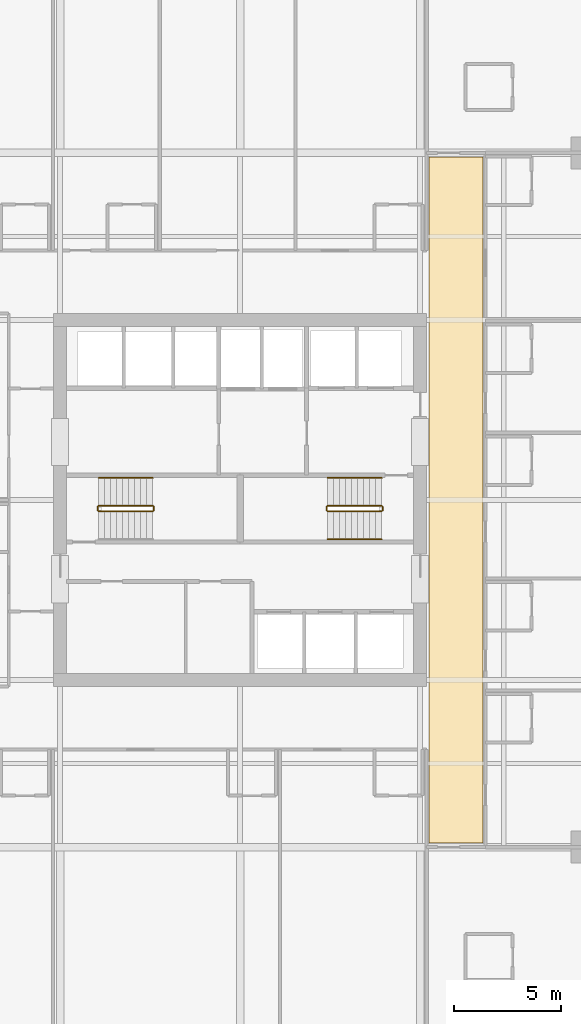
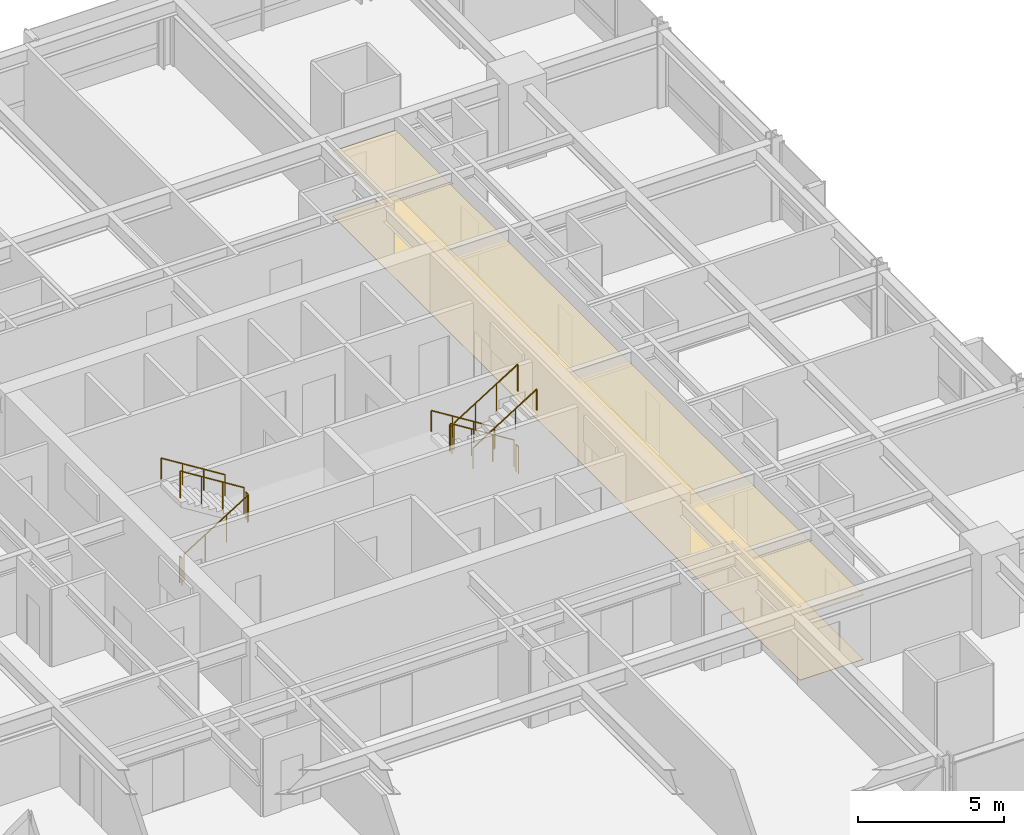
# One storey, part 34 of 35: 11 railings, 2 coverings.
"""IFC4 building model written with IfcOpenShell, lengths in metres."""

import ifcopenshell
import ifcopenshell.guid

model = None  # the IFC model being written
_history = None  # IfcOwnerHistory: only IFC2X3 demands one
_inside = {}  # id of a spatial element -> (the spatial element, [elements in it])
_under = {}  # id of a project, library or spatial element -> (it, [spatial elements below it])
_declared = {}  # id of a project -> (the project, [libraries it declares])
_typed = {}  # id of a type object -> (the type object, [elements of that type])
_made_of = {}  # id of a material, layer set ... -> (it, [elements and type objects made of it])


def new_model(schema):
    """Start an empty IFC model of exactly this schema.

    Asked for "IFC4X3", IfcOpenShell would pick the latest addendum, in which some entities
    have other attributes; the version numbers below select the first issue.
    IFC2X3 requires an IfcOwnerHistory on every rooted entity: one is made here for all.
    """
    global model, _history
    if schema == "IFC4X3":
        model = ifcopenshell.file(schema_version=(4, 3, 0, 0))
    else:
        model = ifcopenshell.file(schema=schema)
    _inside.clear()
    _under.clear()
    _declared.clear()
    _typed.clear()
    _made_of.clear()
    _history = None
    if model.schema == "IFC2X3":
        org = make("IfcOrganization", Name="unknown")
        user = make(
            "IfcPersonAndOrganization",
            ThePerson=make("IfcPerson", FamilyName="unknown"),
            TheOrganization=org,
        )
        app = make(
            "IfcApplication",
            ApplicationDeveloper=org,
            Version="unknown",
            ApplicationFullName="unknown",
            ApplicationIdentifier="unknown",
        )
        _history = make(
            "IfcOwnerHistory",
            OwningUser=user,
            OwningApplication=app,
            ChangeAction="ADDED",
            CreationDate=0,
        )
    return model


def make(cls, **values):
    """One entity of the class cls with the attributes given. An attribute that is None is left unset."""
    return model.create_entity(
        cls, **{name: value for name, value in values.items() if value is not None}
    )


def rooted(cls, **values):
    """An entity with a GlobalId (a new one), such as an element, a storey or a relation."""
    return make(cls, GlobalId=ifcopenshell.guid.new(), OwnerHistory=_history, **values)


def si_unit(unit_type, name, prefix=None):
    """IfcSIUnit, for example si_unit("LENGTHUNIT", "METRE", prefix="MILLI")."""
    return make("IfcSIUnit", UnitType=unit_type, Prefix=prefix, Name=name)


def assignment(units):
    """IfcUnitAssignment: the units of a project."""
    return None if units is None else make("IfcUnitAssignment", Units=units)


def point(xyz):
    """IfcCartesianPoint."""
    return None if xyz is None else make("IfcCartesianPoint", Coordinates=xyz)


def direction(xyz):
    """IfcDirection."""
    return None if xyz is None else make("IfcDirection", DirectionRatios=xyz)


def frame(location, z_axis=None, x_axis=None):
    """IfcAxis2Placement3D, a coordinate frame: its origin and axes. An axis left out is left unset."""
    return make(
        "IfcAxis2Placement3D",
        Location=point(location),
        Axis=direction(z_axis),
        RefDirection=direction(x_axis),
    )


def frame_2d(location, x_axis=None):
    """IfcAxis2Placement2D, a coordinate frame in the plane: its origin and x axis."""
    return make(
        "IfcAxis2Placement2D", Location=point(location), RefDirection=direction(x_axis)
    )


def origin():
    """The frame at (0, 0, 0) with its axes left unset."""
    return frame((0.0, 0.0, 0.0))


def origin_2d():
    """The frame at (0, 0) in the plane with its x axis left unset."""
    return frame_2d((0.0, 0.0))


def place(relative_to, where):
    """IfcLocalPlacement: puts the frame where relative to a parent placement (None: the world)."""
    return make(
        "IfcLocalPlacement", PlacementRelTo=relative_to, RelativePlacement=where
    )


def context(
    kind, dimensions, precision=None, world=None, true_north=None, identifier=None
):
    """IfcGeometricRepresentationContext, for example the 3D "Model" context."""
    return make(
        "IfcGeometricRepresentationContext",
        ContextIdentifier=identifier,
        ContextType=kind,
        CoordinateSpaceDimension=dimensions,
        Precision=precision,
        WorldCoordinateSystem=world,
        TrueNorth=true_north,
    )


def subcontext(parent, identifier, kind, view, scale=None):
    """IfcGeometricRepresentationSubContext, for example "Body" below "Model"."""
    return make(
        "IfcGeometricRepresentationSubContext",
        ContextIdentifier=identifier,
        ContextType=kind,
        ParentContext=parent,
        TargetScale=scale,
        TargetView=view,
    )


def project(units=None, contexts=None):
    """IfcProject with its units and contexts."""
    return rooted(
        "IfcProject",
        Name="project",
        RepresentationContexts=contexts,
        UnitsInContext=assignment(units),
    )


def spatial(cls, under=None, at=None, **own):
    """A site, building, storey or space (cls), placed at a placement, below another one or the project."""
    s = rooted(cls, ObjectPlacement=at, **own)
    if under is not None:
        _under.setdefault(under.id(), (under, []))[1].append(s)
    return s


def polyline(points):
    """IfcPolyline through the points."""
    return make("IfcPolyline", Points=[point(p) for p in points])


def profile(cls, at=None, kind="AREA", **sizes):
    """A parametric profile (cls). Its sizes go by their IFC names, for example OverallWidth=200.0."""
    return make(cls, ProfileType=kind, Position=at, **sizes)


def circle(**sizes):
    """IfcCircleProfileDef."""
    return profile("IfcCircleProfileDef", **sizes)


def outline(outer, holes=None, kind="AREA"):
    """IfcArbitraryClosedProfileDef: a profile drawn as a closed curve; with holes, ...WithVoids."""
    if holes is None:
        return make("IfcArbitraryClosedProfileDef", ProfileType=kind, OuterCurve=outer)
    return make(
        "IfcArbitraryProfileDefWithVoids",
        ProfileType=kind,
        OuterCurve=outer,
        InnerCurves=holes,
    )


def extrude(swept, where, along, depth):
    """IfcExtrudedAreaSolid: the profile swept, set in the frame where, extruded along a direction by depth."""
    return make(
        "IfcExtrudedAreaSolid",
        SweptArea=swept,
        Position=where,
        ExtrudedDirection=direction(along),
        Depth=depth,
    )


def shape(context_of_items, identifier, shape_type, items):
    """IfcShapeRepresentation: the items that make up one representation, for example the "Body"."""
    return make(
        "IfcShapeRepresentation",
        ContextOfItems=context_of_items,
        RepresentationIdentifier=identifier,
        RepresentationType=shape_type,
        Items=items,
    )


def material(Name=None, Category=None):
    """IfcMaterial."""
    return make("IfcMaterial", Name=Name, Category=Category)


def layer(
    of_material, thickness, ventilated=None, Name=None, Category=None, Priority=None
):
    """IfcMaterialLayer: one layer of a wall or slab, of a material (None: an air gap)."""
    return make(
        "IfcMaterialLayer",
        Material=of_material,
        LayerThickness=thickness,
        IsVentilated=ventilated,
        Name=Name,
        Category=Category,
        Priority=Priority,
    )


def layer_set(layers, Name=None):
    """IfcMaterialLayerSet."""
    return make("IfcMaterialLayerSet", MaterialLayers=layers, LayerSetName=Name)


def made_of(thing, what):
    """Note that an element or type object is made of a material, layer set ...; save() writes the relation."""
    if what is not None:
        _made_of.setdefault(what.id(), (what, []))[1].append(thing)
    return thing


def type_object(cls, material=None, **own):
    """A type object (cls), such as IfcWallType, which elements share."""
    return made_of(rooted(cls, **own), material)


def element(
    cls,
    number,
    at=None,
    inside=None,
    cuts=None,
    type_object=None,
    material=None,
    context=None,
    identifier="Body",
    shape_type=None,
    held_by="IfcProductDefinitionShape",
    body=None,
    shapes=None,
    **own,
):
    """One element of the class cls, such as IfcWall. Its Tag is "e" and its number.

    at: its placement. inside: the storey or other place that contains it. cuts: it is an
    opening in that element (IfcRelVoidsElement). A single representation is given by context,
    identifier, shape_type and body (its items); several are given by shapes. held_by: the class
    of the entity that holds the representations. save() writes the other relations.
    """
    e = rooted(cls, Tag="e%d" % number, ObjectPlacement=at, **own)
    if body is not None:
        shapes = [shape(context, identifier, shape_type, body)]
    if shapes is not None:
        e.Representation = make(held_by, Representations=shapes)
    if inside is not None:
        _inside.setdefault(inside.id(), (inside, []))[1].append(e)
    if cuts is not None:
        rooted(
            "IfcRelVoidsElement", RelatingBuildingElement=cuts, RelatedOpeningElement=e
        )
    if type_object is not None:
        _typed.setdefault(type_object.id(), (type_object, []))[1].append(e)
    return made_of(e, material)


def aggregate(whole, parts):
    """IfcRelAggregates: a whole, such as a stair, and the parts it consists of."""
    return rooted("IfcRelAggregates", RelatingObject=whole, RelatedObjects=parts)


def save(model, path):
    """Write the relations noted so far, then the file.

    IfcRelAggregates (storeys below a building ...), IfcRelContainedInSpatialStructure (elements
    in a storey), IfcRelDefinesByType, IfcRelAssociatesMaterial and IfcRelDeclares: one each for
    every whole, place, type object, material and project.
    """
    for whole, parts in _under.values():
        aggregate(whole, parts)
    for where, things in _inside.values():
        rooted(
            "IfcRelContainedInSpatialStructure",
            RelatedElements=things,
            RelatingStructure=where,
        )
    for kind, things in _typed.values():
        rooted("IfcRelDefinesByType", RelatedObjects=things, RelatingType=kind)
    for what, things in _made_of.values():
        rooted("IfcRelAssociatesMaterial", RelatedObjects=things, RelatingMaterial=what)
    for by, libraries in _declared.values():
        rooted("IfcRelDeclares", RelatingContext=by, RelatedDefinitions=libraries)
    model.write(path)


model = new_model("IFC4")

# Units and contexts
model_context = context("Model", 3, precision=1e-05, world=origin(), true_north=direction((0.0, 1.0)))
body_context = subcontext(model_context, "Body", "Model", "MODEL_VIEW")
ifc_project = project(units=[si_unit("LENGTHUNIT", "METRE"), si_unit("AREAUNIT", "SQUARE_METRE"), si_unit("VOLUMEUNIT", "CUBIC_METRE"), si_unit("PLANEANGLEUNIT", "RADIAN"), si_unit("MASSUNIT", "GRAM", prefix="KILO")], contexts=[model_context])

# Site, building, storey
site_placement = place(None, origin())
site = spatial("IfcSite", under=ifc_project, at=site_placement, CompositionType="ELEMENT")
building_placement = place(site_placement, origin())
building = spatial("IfcBuilding", under=site, at=building_placement, Name="Drelvath Grand Hotel", CompositionType="ELEMENT")
storey_placement = place(building_placement, frame((0.0, 0.0, 130.300048828125)))
storey = spatial("IfcBuildingStorey", under=building, at=storey_placement, Name="L33", CompositionType="ELEMENT", Elevation=130.300048828125)

# Railings
ifc_material_1 = material(Name="Painted Steel S275", Category="steel")
railing_type_1 = type_object("IfcRailingType", Name="Core Stair Wall Handrail 900", PredefinedType="HANDRAIL", material=ifc_material_1)
for number, where, name in (
    (1, (-4.080078125, 28.030029296875, 1.925048828125), "L33 ST-1 stair handrail 2"),
    (2, (6.60009765625, 28.030029296875, 0.175048828125), "L33 ST-2 stair handrail 1"),
):
    element("IfcRailing", number, at=place(storey_placement, frame(where)), inside=storey, type_object=railing_type_1, Name=name, PredefinedType="HANDRAIL", context=body_context, shape_type="SweptSolid", body=[
        extrude(circle(Radius=0.02392578125, at=origin_2d()), frame((0.0, 0.0, 0.8759765625), z_axis=(-0.848007534815, 0.0, 0.529984170421), x_axis=(0.0, -1.0, 0.0)), (0.0, 0.0, 1.0), 2.9716796875),
        extrude(circle(Radius=0.02099609375, at=origin_2d()), origin(), (0.0, 0.0, 1.0), 0.851806640625),
        extrude(circle(Radius=0.02099609375, at=origin_2d()), frame((-0.840087890625, 0.0, 0.52490234375)), (0.0, 0.0, 1.0), 0.851806640625),
        extrude(circle(Radius=0.02099609375, at=origin_2d()), frame((-1.679931640625, 0.0, 1.050048828125)), (0.0, 0.0, 1.0), 0.851806640625),
        extrude(circle(Radius=0.02099609375, at=origin_2d()), frame((-2.52001953125, 0.0, 1.574951171875)), (0.0, 0.0, 1.0), 0.851806640625),
    ])
railing_1_placement = place(storey_placement, frame((4.080078125, 25.169921875, 1.925048828125)))
element("IfcRailing", 3, at=railing_1_placement, inside=storey, type_object=railing_type_1, Name="L33 ST-2 stair handrail 2", PredefinedType="HANDRAIL", context=body_context, shape_type="SweptSolid", body=[
    extrude(circle(Radius=0.02392578125, at=origin_2d()), frame((0.0, 0.0, 0.8759765625), z_axis=(0.848007534815, 0.0, 0.529984170421), x_axis=(0.0, 1.0, 0.0)), (0.0, 0.0, 1.0), 2.9716796875),
    extrude(circle(Radius=0.02099609375, at=origin_2d()), origin(), (0.0, 0.0, 1.0), 0.851806640625),
    extrude(circle(Radius=0.02099609375, at=origin_2d()), frame((0.840087890625, 0.0, 0.52490234375)), (0.0, 0.0, 1.0), 0.851806640625),
    extrude(circle(Radius=0.02099609375, at=origin_2d()), frame((1.679931640625, 0.0, 1.050048828125)), (0.0, 0.0, 1.0), 0.851806640625),
    extrude(circle(Radius=0.02099609375, at=origin_2d()), frame((2.52001953125, 0.0, 1.574951171875)), (0.0, 0.0, 1.0), 0.851806640625),
])
railing_type_2 = type_object("IfcRailingType", Name="Core Stair Well Guardrail 1100", PredefinedType="GUARDRAIL", material=ifc_material_1)
railing_2_placement = place(storey_placement, frame((-6.60009765625, 26.469970703125, 0.175048828125)))
element("IfcRailing", 4, at=railing_2_placement, inside=storey, type_object=railing_type_2, Name="L33 ST-1 stair guard 1", PredefinedType="GUARDRAIL", context=body_context, shape_type="SweptSolid", body=[
    extrude(circle(Radius=0.02392578125, at=origin_2d()), frame((0.0, 0.0, 1.1259765625), z_axis=(0.848007534815, 0.0, 0.529984170421), x_axis=(0.0, 1.0, 0.0)), (0.0, 0.0, 1.0), 2.9716796875),
    extrude(circle(Radius=0.02099609375, at=origin_2d()), origin(), (0.0, 0.0, 1.0), 1.101806640625),
    extrude(circle(Radius=0.02099609375, at=origin_2d()), frame((0.840087890625, 0.0, 0.52490234375)), (0.0, 0.0, 1.0), 1.101806640625),
    extrude(circle(Radius=0.02099609375, at=origin_2d()), frame((1.679931640625, 0.0, 1.050048828125)), (0.0, 0.0, 1.0), 1.101806640625),
    extrude(circle(Radius=0.02099609375, at=origin_2d()), frame((2.52001953125, 0.0, 1.574951171875)), (0.0, 0.0, 1.0), 1.101806640625),
])
railing_3_placement = place(storey_placement, frame((-4.030029296875, 26.52001953125, 1.75)))
element("IfcRailing", 5, at=railing_3_placement, inside=storey, type_object=railing_type_2, Name="L33 ST-1 stair guard 2", PredefinedType="GUARDRAIL", context=body_context, shape_type="SweptSolid", body=[
    extrude(circle(Radius=0.02392578125, at=origin_2d()), frame((0.0, 0.0, 1.1259765625), z_axis=(0.0, 1.0, 0.0), x_axis=(-1.0, 0.0, 0.0)), (0.0, 0.0, 1.0), 0.159912109375),
    extrude(circle(Radius=0.02099609375, at=origin_2d()), origin(), (0.0, 0.0, 1.0), 1.101806640625),
    extrude(circle(Radius=0.02099609375, at=origin_2d()), frame((0.0, 0.159912109375, 0.0)), (0.0, 0.0, 1.0), 1.101806640625),
])
railing_4_placement = place(storey_placement, frame((-4.080078125, 26.72998046875, 1.925048828125)))
element("IfcRailing", 6, at=railing_4_placement, inside=storey, type_object=railing_type_2, Name="L33 ST-1 stair guard 3", PredefinedType="GUARDRAIL", context=body_context, shape_type="SweptSolid", body=[
    extrude(circle(Radius=0.02392578125, at=origin_2d()), frame((0.0, 0.0, 1.1259765625), z_axis=(-0.848007534815, 0.0, 0.529984170421), x_axis=(0.0, -1.0, 0.0)), (0.0, 0.0, 1.0), 2.9716796875),
    extrude(circle(Radius=0.02099609375, at=origin_2d()), origin(), (0.0, 0.0, 1.0), 1.101806640625),
    extrude(circle(Radius=0.02099609375, at=origin_2d()), frame((-0.840087890625, 0.0, 0.52490234375)), (0.0, 0.0, 1.0), 1.101806640625),
    extrude(circle(Radius=0.02099609375, at=origin_2d()), frame((-1.679931640625, 0.0, 1.050048828125)), (0.0, 0.0, 1.0), 1.101806640625),
    extrude(circle(Radius=0.02099609375, at=origin_2d()), frame((-2.52001953125, 0.0, 1.574951171875)), (0.0, 0.0, 1.0), 1.101806640625),
])
railing_5_placement = place(storey_placement, frame((-6.64990234375, 26.52001953125, 0.0)))
element("IfcRailing", 7, at=railing_5_placement, inside=storey, type_object=railing_type_2, Name="L33 ST-1 stair guard 4", PredefinedType="GUARDRAIL", context=body_context, shape_type="SweptSolid", body=[
    extrude(circle(Radius=0.02392578125, at=origin_2d()), frame((0.0, 0.0, 1.1259765625), z_axis=(0.0, 1.0, 0.0), x_axis=(-1.0, 0.0, 0.0)), (0.0, 0.0, 1.0), 0.159912109375),
    extrude(circle(Radius=0.02099609375, at=origin_2d()), origin(), (0.0, 0.0, 1.0), 1.101806640625),
    extrude(circle(Radius=0.02099609375, at=origin_2d()), frame((0.0, 0.159912109375, 0.0)), (0.0, 0.0, 1.0), 1.101806640625),
])
railing_6_placement = place(storey_placement, frame((6.60009765625, 26.72998046875, 0.175048828125)))
element("IfcRailing", 8, at=railing_6_placement, inside=storey, type_object=railing_type_2, Name="L33 ST-2 stair guard 1", PredefinedType="GUARDRAIL", context=body_context, shape_type="SweptSolid", body=[
    extrude(circle(Radius=0.02392578125, at=origin_2d()), frame((0.0, 0.0, 1.1259765625), z_axis=(-0.848007534815, 0.0, 0.529984170421), x_axis=(0.0, -1.0, 0.0)), (0.0, 0.0, 1.0), 2.9716796875),
    extrude(circle(Radius=0.02099609375, at=origin_2d()), origin(), (0.0, 0.0, 1.0), 1.101806640625),
    extrude(circle(Radius=0.02099609375, at=origin_2d()), frame((-0.840087890625, 0.0, 0.52490234375)), (0.0, 0.0, 1.0), 1.101806640625),
    extrude(circle(Radius=0.02099609375, at=origin_2d()), frame((-1.679931640625, 0.0, 1.050048828125)), (0.0, 0.0, 1.0), 1.101806640625),
    extrude(circle(Radius=0.02099609375, at=origin_2d()), frame((-2.52001953125, 0.0, 1.574951171875)), (0.0, 0.0, 1.0), 1.101806640625),
])
railing_7_placement = place(storey_placement, frame((4.030029296875, 26.679931640625, 1.75)))
element("IfcRailing", 9, at=railing_7_placement, inside=storey, type_object=railing_type_2, Name="L33 ST-2 stair guard 2", PredefinedType="GUARDRAIL", context=body_context, shape_type="SweptSolid", body=[
    extrude(circle(Radius=0.02392578125, at=origin_2d()), frame((0.0, 0.0, 1.1259765625), z_axis=(0.0, -1.0, 0.0), x_axis=(1.0, 0.0, 0.0)), (0.0, 0.0, 1.0), 0.159912109375),
    extrude(circle(Radius=0.02099609375, at=origin_2d()), origin(), (0.0, 0.0, 1.0), 1.101806640625),
    extrude(circle(Radius=0.02099609375, at=origin_2d()), frame((0.0, -0.159912109375, 0.0)), (0.0, 0.0, 1.0), 1.101806640625),
])
railing_8_placement = place(storey_placement, frame((4.080078125, 26.469970703125, 1.925048828125)))
element("IfcRailing", 10, at=railing_8_placement, inside=storey, type_object=railing_type_2, Name="L33 ST-2 stair guard 3", PredefinedType="GUARDRAIL", context=body_context, shape_type="SweptSolid", body=[
    extrude(circle(Radius=0.02392578125, at=origin_2d()), frame((0.0, 0.0, 1.1259765625), z_axis=(0.848007534815, 0.0, 0.529984170421), x_axis=(0.0, 1.0, 0.0)), (0.0, 0.0, 1.0), 2.9716796875),
    extrude(circle(Radius=0.02099609375, at=origin_2d()), origin(), (0.0, 0.0, 1.0), 1.101806640625),
    extrude(circle(Radius=0.02099609375, at=origin_2d()), frame((0.840087890625, 0.0, 0.52490234375)), (0.0, 0.0, 1.0), 1.101806640625),
    extrude(circle(Radius=0.02099609375, at=origin_2d()), frame((1.679931640625, 0.0, 1.050048828125)), (0.0, 0.0, 1.0), 1.101806640625),
    extrude(circle(Radius=0.02099609375, at=origin_2d()), frame((2.52001953125, 0.0, 1.574951171875)), (0.0, 0.0, 1.0), 1.101806640625),
])
railing_9_placement = place(storey_placement, frame((6.64990234375, 26.679931640625, 0.0)))
element("IfcRailing", 11, at=railing_9_placement, inside=storey, type_object=railing_type_2, Name="L33 ST-2 stair guard 4", PredefinedType="GUARDRAIL", context=body_context, shape_type="SweptSolid", body=[
    extrude(circle(Radius=0.02392578125, at=origin_2d()), frame((0.0, 0.0, 1.1259765625), z_axis=(0.0, -1.0, 0.0), x_axis=(1.0, 0.0, 0.0)), (0.0, 0.0, 1.0), 0.159912109375),
    extrude(circle(Radius=0.02099609375, at=origin_2d()), origin(), (0.0, 0.0, 1.0), 1.101806640625),
    extrude(circle(Radius=0.02099609375, at=origin_2d()), frame((0.0, -0.159912109375, 0.0)), (0.0, 0.0, 1.0), 1.101806640625),
])

# Coverings
ifc_material_2 = material(Name="Woven Wool Broadloom Carpet")
ifc_layer_1 = layer(ifc_material_2, 0.01806640625)
ifc_layer_set_1 = layer_set([ifc_layer_1], Name="Woven Wool Broadloom Carpet")
covering_type_1 = type_object("IfcCoveringType", Name="Hospitality Broadloom Carpet 18", PredefinedType="FLOORING", material=ifc_layer_set_1)
covering_1_placement = place(storey_placement, origin())
element("IfcCovering", 12, at=covering_1_placement, inside=storey, type_object=covering_type_1, Name="L33 East Spine Carpet", PredefinedType="FLOORING", context=body_context, shape_type="SweptSolid", body=[
    extrude(outline(polyline([(11.330078125, 11.0), (11.330078125, 43.0), (8.820068359375, 43.0), (8.820068359375, 11.0), (11.330078125, 11.0)])), origin(), (0.0, 0.0, 1.0), 0.01806640625),
])
ifc_material_3 = material(Name="Anodised Aluminium Alloy", Category="aluminium")
ifc_layer_2 = layer(ifc_material_3, 0.0400390625)
ifc_layer_set_2 = layer_set([ifc_layer_2], Name="Anodised Aluminium Alloy")
covering_type_2 = type_object("IfcCoveringType", Name="Perforated Metal Corridor Ceiling 40", PredefinedType="CEILING", material=ifc_layer_set_2)
covering_2_placement = place(storey_placement, frame((0.0, 0.0, 2.68994140625)))
element("IfcCovering", 13, at=covering_2_placement, inside=storey, type_object=covering_type_2, Name="L33 East Spine Ceiling", PredefinedType="CEILING", context=body_context, shape_type="SweptSolid", body=[
    extrude(outline(polyline([(11.330078125, 11.0), (11.330078125, 43.0), (8.820068359375, 43.0), (8.820068359375, 11.0), (11.330078125, 11.0)])), origin(), (0.0, 0.0, 1.0), 0.0400390625),
])

save(model, "model.ifc")
